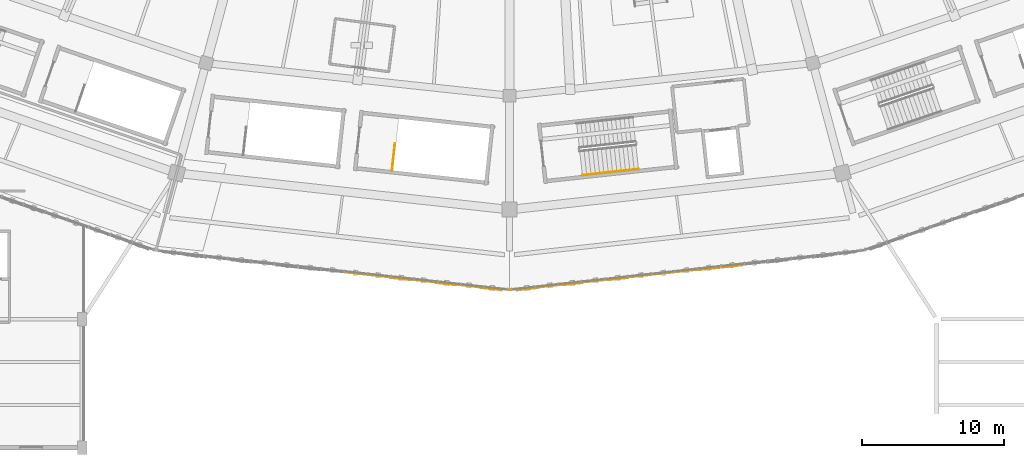
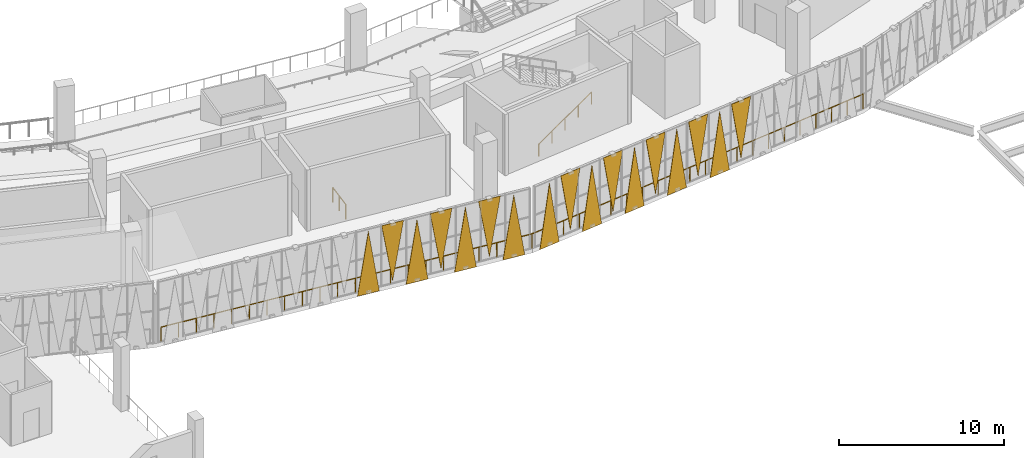
# One storey, part 117 of 152: 17 coverings, 4 railings.
"""IFC4 building model written with IfcOpenShell, lengths in metres."""

from ifc_helpers import new_model, si_unit, direction, frame, origin, origin_2d, place, context, subcontext, project, spatial, polyline, circle, outline, extrude, material, layer, layer_set, type_object, element, save


model = new_model("IFC4")

# Units and contexts
model_context = context("Model", 3, precision=1e-05, world=origin(), true_north=direction((0.0, 1.0)))
body_context = subcontext(model_context, "Body", "Model", "MODEL_VIEW")
ifc_project = project(units=[si_unit("LENGTHUNIT", "METRE"), si_unit("AREAUNIT", "SQUARE_METRE"), si_unit("VOLUMEUNIT", "CUBIC_METRE"), si_unit("PLANEANGLEUNIT", "RADIAN"), si_unit("MASSUNIT", "GRAM", prefix="KILO")], contexts=[model_context])

# Site, building, storey
site_placement = place(None, origin())
site = spatial("IfcSite", under=ifc_project, at=site_placement, CompositionType="ELEMENT")
building_placement = place(site_placement, origin())
building = spatial("IfcBuilding", under=site, at=building_placement, Name="Zevraka Park Crest Stadium", CompositionType="ELEMENT")
storey_placement = place(building_placement, frame((0.0, 0.0, 15.0)))
storey = spatial("IfcBuildingStorey", under=building, at=storey_placement, Name="L03", CompositionType="ELEMENT", Elevation=15.0)

# Coverings
ifc_material_1 = material(Name="Architectural golden-bronze perforated aluminium", Category="aluminium")
ifc_layer = layer(ifc_material_1, 0.034912109375)
ifc_layer_set = layer_set([ifc_layer], Name="Architectural golden-bronze perforated aluminium")
covering_type = type_object("IfcCoveringType", Name="CLD01", PredefinedType="CLADDING", material=ifc_layer_set)
covering_1_placement = place(storey_placement, frame((100.4541015625, 12.281982421875, -0.260009765625), z_axis=(-0.109857340022, -0.993947362105, 7.8784667e-05), x_axis=(0.99394736519, -0.109857340363, 0.0)))
element("IfcCovering", 1, at=covering_1_placement, inside=storey, type_object=covering_type, Name="Triangular Golden-Bronze Perforated Cladding L03-17-9", PredefinedType="CLADDING", context=body_context, shape_type="SweptSolid", body=[
    extrude(outline(polyline([(0.0, 0.0), (1.4467448997915233, -1.6940658945086007e-21), (0.723332218936156, 4.62011720183859), (0.0, 0.0)])), origin(), (0.0, 0.0, -1.0), 0.034912109375),
])
covering_2_placement = place(storey_placement, frame((103.489013671875, 11.945068359375, 4.52001953125), z_axis=(-0.11052412629, -0.993873440993, 2.8214201e-05), x_axis=(-0.993873441389, 0.110524126334, 0.0)))
element("IfcCovering", 2, at=covering_2_placement, inside=storey, type_object=covering_type, Name="Triangular Golden-Bronze Perforated Cladding L03-17-10", PredefinedType="CLADDING", context=body_context, shape_type="SweptSolid", body=[
    extrude(outline(polyline([(0.0, 0.0), (1.446852507941667, 0.0), (0.723412762256193, 4.300048829836508), (0.0, 0.0)])), origin(), (0.0, 0.0, -1.0), 0.034912109375),
])
covering_3_placement = place(storey_placement, frame((103.64794921875, 11.927978515625, -0.260009765625), z_axis=(0.110524126296, 0.993873441046, 2.6259603e-05), x_axis=(0.993873441389, -0.110524126334, 0.0)))
element("IfcCovering", 3, at=covering_3_placement, inside=storey, type_object=covering_type, Name="Triangular Golden-Bronze Perforated Cladding L03-17-11", PredefinedType="CLADDING", context=body_context, shape_type="SweptSolid", body=[
    extrude(outline(polyline([(0.0, 0.0), (1.446852507941667, 0.0), (0.7234397456854739, -4.62011718909294), (0.0, 0.0)])), origin(), (0.0, 0.0, -1.0), 0.034912109375),
])
covering_4_placement = place(storey_placement, frame((106.68310546875, 11.591064453125, 4.52001953125), z_axis=(-0.10985733927, -0.993947355298, 0.000141081496), x_axis=(-0.99394736519, 0.109857340363, 0.0)))
element("IfcCovering", 4, at=covering_4_placement, inside=storey, type_object=covering_type, Name="Triangular Golden-Bronze Perforated Cladding L03-17-12", PredefinedType="CLADDING", context=body_context, shape_type="SweptSolid", body=[
    extrude(outline(polyline([(0.0, 0.0), (1.4467448997915233, 0.0), (0.7233053982964189, 4.300048870919063), (0.0, 0.0)])), origin(), (0.0, 0.0, -1.0), 0.034912109375),
])
covering_5_placement = place(storey_placement, frame((106.842041015625, 11.572998046875, -0.260009765625), z_axis=(0.110524126296, 0.993873441046, 2.6259603e-05), x_axis=(0.993873441389, -0.110524126334, 0.0)))
element("IfcCovering", 5, at=covering_5_placement, inside=storey, type_object=covering_type, Name="Triangular Golden-Bronze Perforated Cladding L03-17-13", PredefinedType="CLADDING", context=body_context, shape_type="SweptSolid", body=[
    extrude(outline(polyline([(0.0, 0.0), (1.446852507941667, 0.0), (0.7234397456854739, -4.62011718909294), (0.0, 0.0)])), origin(), (0.0, 0.0, -1.0), 0.034912109375),
])
covering_6_placement = place(storey_placement, frame((109.8759765625, 11.236083984375, 4.52001953125), z_axis=(-0.110598317724, -0.993865187976, 1.5655252e-05), x_axis=(-0.993865188098, 0.110598317738, 0.0)))
element("IfcCovering", 6, at=covering_6_placement, inside=storey, type_object=covering_type, Name="Triangular Golden-Bronze Perforated Cladding L03-17-14", PredefinedType="CLADDING", context=body_context, shape_type="SweptSolid", body=[
    extrude(outline(polyline([(0.0, 0.0), (1.4458819324376355, 0.0), (0.7224421797112335, 4.300048828651943), (0.0, 0.0)])), origin(), (0.0, 0.0, -1.0), 0.034912109375),
])
covering_7_placement = place(storey_placement, frame((110.034912109375, 11.218017578125, -0.260009765625), z_axis=(0.109857339416, 0.993947356621, 0.000131307778), x_axis=(0.99394736519, -0.109857340363, 0.0)))
element("IfcCovering", 7, at=covering_7_placement, inside=storey, type_object=covering_type, Name="Triangular Golden-Bronze Perforated Cladding L03-17-15", PredefinedType="CLADDING", context=body_context, shape_type="SweptSolid", body=[
    extrude(outline(polyline([(0.0, 0.0), (1.4467448997915233, -3.3881317890172014e-21), (0.7234395014951044, -4.620117227329413), (0.0, 0.0)])), origin(), (0.0, 0.0, -1.0), 0.034912109375),
])
covering_8_placement = place(storey_placement, frame((112.527099609375, 11.05908203125, -0.260009765625), z_axis=(-0.109857339416, 0.993947356621, 0.000131307778), x_axis=(0.99394736519, 0.109857340363, 0.0)))
element("IfcCovering", 8, at=covering_8_placement, inside=storey, type_object=covering_type, Name="Triangular Golden-Bronze Perforated Cladding L03-18-1", PredefinedType="CLADDING", context=body_context, shape_type="SweptSolid", body=[
    extrude(outline(polyline([(0.0, 0.0), (1.4467448997915233, 3.3881317890172014e-21), (0.7233053982964189, -4.620117227329413), (0.0, 0.0)])), origin(), (0.0, 0.0, -1.0), 0.034912109375),
])
covering_9_placement = place(storey_placement, frame((115.56103515625, 11.39599609375, 4.52001953125), z_axis=(0.110598317724, -0.993865187976, 1.5655252e-05), x_axis=(-0.993865188098, -0.110598317738, 0.0)))
element("IfcCovering", 9, at=covering_9_placement, inside=storey, type_object=covering_type, Name="Triangular Golden-Bronze Perforated Cladding L03-18-2", PredefinedType="CLADDING", context=body_context, shape_type="SweptSolid", body=[
    extrude(outline(polyline([(0.0, 0.0), (1.4458819324376355, 0.0), (0.723439752726402, 4.300048828651943), (0.0, 0.0)])), origin(), (0.0, 0.0, -1.0), 0.034912109375),
])
covering_10_placement = place(storey_placement, frame((115.719970703125, 11.4130859375, -0.260009765625), z_axis=(-0.110524126296, 0.993873441046, 2.6259603e-05), x_axis=(0.993873441389, 0.110524126334, 0.0)))
element("IfcCovering", 10, at=covering_10_placement, inside=storey, type_object=covering_type, Name="Triangular Golden-Bronze Perforated Cladding L03-18-3", PredefinedType="CLADDING", context=body_context, shape_type="SweptSolid", body=[
    extrude(outline(polyline([(0.0, 0.0), (1.446852507941667, 0.0), (0.723412762256193, -4.62011718909294), (0.0, 0.0)])), origin(), (0.0, 0.0, -1.0), 0.034912109375),
])
covering_11_placement = place(storey_placement, frame((118.7548828125, 11.75, 4.52001953125), z_axis=(0.10985733927, -0.993947355298, 0.000141081496), x_axis=(-0.99394736519, -0.109857340363, 0.0)))
element("IfcCovering", 11, at=covering_11_placement, inside=storey, type_object=covering_type, Name="Triangular Golden-Bronze Perforated Cladding L03-18-4", PredefinedType="CLADDING", context=body_context, shape_type="SweptSolid", body=[
    extrude(outline(polyline([(0.0, 0.0), (1.4467448997915233, 0.0), (0.7234395014951044, 4.300048870919063), (0.0, 0.0)])), origin(), (0.0, 0.0, -1.0), 0.034912109375),
])
covering_12_placement = place(storey_placement, frame((118.9140625, 11.76806640625, -0.260009765625), z_axis=(-0.110524126296, 0.993873441046, 2.6259603e-05), x_axis=(0.993873441389, 0.110524126334, 0.0)))
element("IfcCovering", 12, at=covering_12_placement, inside=storey, type_object=covering_type, Name="Triangular Golden-Bronze Perforated Cladding L03-18-5", PredefinedType="CLADDING", context=body_context, shape_type="SweptSolid", body=[
    extrude(outline(polyline([(0.0, 0.0), (1.446852507941667, 0.0), (0.723412762256193, -4.62011718909294), (0.0, 0.0)])), origin(), (0.0, 0.0, -1.0), 0.034912109375),
])
covering_13_placement = place(storey_placement, frame((121.948974609375, 12.10498046875, 4.52001953125), z_axis=(0.11052412629, -0.993873440993, 2.8214201e-05), x_axis=(-0.993873441389, -0.110524126334, 0.0)))
element("IfcCovering", 13, at=covering_13_placement, inside=storey, type_object=covering_type, Name="Triangular Golden-Bronze Perforated Cladding L03-18-6", PredefinedType="CLADDING", context=body_context, shape_type="SweptSolid", body=[
    extrude(outline(polyline([(0.0, 0.0), (1.446852507941667, 0.0), (0.7234397456854739, 4.300048829836508), (0.0, 0.0)])), origin(), (0.0, 0.0, -1.0), 0.034912109375),
])
covering_14_placement = place(storey_placement, frame((122.10791015625, 12.123046875, -0.260009765625), z_axis=(0.109857340022, -0.993947362105, 7.8784667e-05), x_axis=(0.99394736519, 0.109857340363, 0.0)))
element("IfcCovering", 14, at=covering_14_placement, inside=storey, type_object=covering_type, Name="Triangular Golden-Bronze Perforated Cladding L03-18-7", PredefinedType="CLADDING", context=body_context, shape_type="SweptSolid", body=[
    extrude(outline(polyline([(0.0, 0.0), (1.4467448997915233, 1.6940658945086007e-21), (0.7234126808553673, 4.62011720183859), (0.0, 0.0)])), origin(), (0.0, 0.0, -1.0), 0.034912109375),
])
covering_15_placement = place(storey_placement, frame((125.14208984375, 12.4599609375, 4.52001953125), z_axis=(0.110598317646, -0.993865187272, 4.0772681e-05), x_axis=(-0.993865188098, -0.110598317738, 0.0)))
element("IfcCovering", 15, at=covering_15_placement, inside=storey, type_object=covering_type, Name="Triangular Golden-Bronze Perforated Cladding L03-18-8", PredefinedType="CLADDING", context=body_context, shape_type="SweptSolid", body=[
    extrude(outline(polyline([(0.0, 0.0), (1.4458819324376355, -8.470329472543003e-22), (0.7224691812536499, 4.300048831699226), (0.0, 0.0)])), origin(), (0.0, 0.0, -1.0), 0.034912109375),
])
covering_16_placement = place(storey_placement, frame((125.301025390625, 12.47802734375, -0.260009765625), z_axis=(-0.109857339416, 0.993947356621, 0.000131307778), x_axis=(0.99394736519, 0.109857340363, 0.0)))
element("IfcCovering", 16, at=covering_16_placement, inside=storey, type_object=covering_type, Name="Triangular Golden-Bronze Perforated Cladding L03-18-9", PredefinedType="CLADDING", context=body_context, shape_type="SweptSolid", body=[
    extrude(outline(polyline([(0.0, 0.0), (1.4467448997915233, 3.3881317890172014e-21), (0.7233053982964189, -4.620117227329413), (0.0, 0.0)])), origin(), (0.0, 0.0, -1.0), 0.034912109375),
])
covering_17_placement = place(storey_placement, frame((128.3359375, 12.81494140625, 4.52001953125), z_axis=(-0.11052412629, 0.993873440993, 2.8214201e-05), x_axis=(-0.993873441389, -0.110524126334, 0.0)))
element("IfcCovering", 17, at=covering_17_placement, inside=storey, type_object=covering_type, Name="Triangular Golden-Bronze Perforated Cladding L03-18-10", PredefinedType="CLADDING", context=body_context, shape_type="SweptSolid", body=[
    extrude(outline(polyline([(0.0, 0.0), (1.446852507941667, 0.0), (0.723412762256193, -4.300048829836508), (0.0, 0.0)])), origin(), (0.0, 0.0, -1.0), 0.034912109375),
])

# Railings
ifc_material_2 = material(Name="Galvanised and bronze-finished steel balustrade", Category="steel")
railing_type_1 = type_object("IfcRailingType", Name="GR01", PredefinedType="GUARDRAIL", material=ifc_material_2)
railing_1_placement = place(storey_placement, frame((136.8310546875, 13.8291015625, 0.0)))
element("IfcRailing", 18, at=railing_1_placement, inside=storey, type_object=railing_type_1, Name="Deck Edge Protection Guardrail GR01 L03-31", PredefinedType="GUARDRAIL", context=body_context, shape_type="SweptSolid", body=[
    extrude(circle(Radius=0.02392578125, at=origin_2d()), frame((0.0, 0.0, 1.076171875), z_axis=(-0.993883615503, -0.110432598604, 0.0), x_axis=(0.110432598604, -0.993883615503, 0.0)), (0.0, 0.0, 1.0), 24.98388671875),
    extrude(circle(Radius=0.02099609375, at=origin_2d()), origin(), (0.0, 0.0, 1.0), 1.052001953125),
    extrude(circle(Radius=0.02099609375, at=origin_2d()), frame((-1.182373046875, -0.13134765625, 0.0)), (0.0, 0.0, 1.0), 1.052001953125),
    extrude(circle(Radius=0.02099609375, at=origin_2d()), frame((-2.36474609375, -0.2626953125, 0.0)), (0.0, 0.0, 1.0), 1.052001953125),
    extrude(circle(Radius=0.02099609375, at=origin_2d()), frame((-3.54736328125, -0.39404296875, 0.0)), (0.0, 0.0, 1.0), 1.052001953125),
    extrude(circle(Radius=0.02099609375, at=origin_2d()), frame((-4.729736328125, -0.525634765625, 0.0)), (0.0, 0.0, 1.0), 1.052001953125),
    extrude(circle(Radius=0.02099609375, at=origin_2d()), frame((-5.912109375, -0.656982421875, 0.0)), (0.0, 0.0, 1.0), 1.052001953125),
    extrude(circle(Radius=0.02099609375, at=origin_2d()), frame((-7.094482421875, -0.788330078125, 0.0)), (0.0, 0.0, 1.0), 1.052001953125),
    extrude(circle(Radius=0.02099609375, at=origin_2d()), frame((-8.277099609375, -0.919677734375, 0.0)), (0.0, 0.0, 1.0), 1.052001953125),
    extrude(circle(Radius=0.02099609375, at=origin_2d()), frame((-9.45947265625, -1.051025390625, 0.0)), (0.0, 0.0, 1.0), 1.052001953125),
    extrude(circle(Radius=0.02099609375, at=origin_2d()), frame((-10.641845703125, -1.182373046875, 0.0)), (0.0, 0.0, 1.0), 1.052001953125),
    extrude(circle(Radius=0.02099609375, at=origin_2d()), frame((-11.82421875, -1.313720703125, 0.0)), (0.0, 0.0, 1.0), 1.052001953125),
    extrude(circle(Radius=0.02099609375, at=origin_2d()), frame((-13.0068359375, -1.4453125, 0.0)), (0.0, 0.0, 1.0), 1.052001953125),
    extrude(circle(Radius=0.02099609375, at=origin_2d()), frame((-14.189208984375, -1.57666015625, 0.0)), (0.0, 0.0, 1.0), 1.052001953125),
    extrude(circle(Radius=0.02099609375, at=origin_2d()), frame((-15.37158203125, -1.7080078125, 0.0)), (0.0, 0.0, 1.0), 1.052001953125),
    extrude(circle(Radius=0.02099609375, at=origin_2d()), frame((-16.553955078125, -1.83935546875, 0.0)), (0.0, 0.0, 1.0), 1.052001953125),
    extrude(circle(Radius=0.02099609375, at=origin_2d()), frame((-17.736572265625, -1.970703125, 0.0)), (0.0, 0.0, 1.0), 1.052001953125),
    extrude(circle(Radius=0.02099609375, at=origin_2d()), frame((-18.9189453125, -2.10205078125, 0.0)), (0.0, 0.0, 1.0), 1.052001953125),
    extrude(circle(Radius=0.02099609375, at=origin_2d()), frame((-20.101318359375, -2.2333984375, 0.0)), (0.0, 0.0, 1.0), 1.052001953125),
    extrude(circle(Radius=0.02099609375, at=origin_2d()), frame((-21.28369140625, -2.364990234375, 0.0)), (0.0, 0.0, 1.0), 1.052001953125),
    extrude(circle(Radius=0.02099609375, at=origin_2d()), frame((-22.46630859375, -2.496337890625, 0.0)), (0.0, 0.0, 1.0), 1.052001953125),
    extrude(circle(Radius=0.02099609375, at=origin_2d()), frame((-23.648681640625, -2.627685546875, 0.0)), (0.0, 0.0, 1.0), 1.052001953125),
    extrude(circle(Radius=0.02099609375, at=origin_2d()), frame((-24.8310546875, -2.759033203125, 0.0)), (0.0, 0.0, 1.0), 1.052001953125),
])
railing_2_placement = place(storey_placement, frame((112.0, 11.070068359375, 0.0)))
element("IfcRailing", 19, at=railing_2_placement, inside=storey, type_object=railing_type_1, Name="Deck Edge Protection Guardrail GR01 L03-32", PredefinedType="GUARDRAIL", context=body_context, shape_type="SweptSolid", body=[
    extrude(circle(Radius=0.02392578125, at=origin_2d()), frame((0.0, 0.0, 1.076171875), z_axis=(-0.993886756646, 0.110404324929, 0.0), x_axis=(-0.110404324929, -0.993886756646, 0.0)), (0.0, 0.0, 1.0), 24.627685546875),
    extrude(circle(Radius=0.02099609375, at=origin_2d()), origin(), (0.0, 0.0, 1.0), 1.052001953125),
    extrude(circle(Radius=0.02099609375, at=origin_2d()), frame((-1.16552734375, 0.12939453125, 0.0)), (0.0, 0.0, 1.0), 1.052001953125),
    extrude(circle(Radius=0.02099609375, at=origin_2d()), frame((-2.3310546875, 0.259033203125, 0.0)), (0.0, 0.0, 1.0), 1.052001953125),
    extrude(circle(Radius=0.02099609375, at=origin_2d()), frame((-3.496826171875, 0.388427734375, 0.0)), (0.0, 0.0, 1.0), 1.052001953125),
    extrude(circle(Radius=0.02099609375, at=origin_2d()), frame((-4.662353515625, 0.517822265625, 0.0)), (0.0, 0.0, 1.0), 1.052001953125),
    extrude(circle(Radius=0.02099609375, at=origin_2d()), frame((-5.827880859375, 0.6474609375, 0.0)), (0.0, 0.0, 1.0), 1.052001953125),
    extrude(circle(Radius=0.02099609375, at=origin_2d()), frame((-6.993408203125, 0.77685546875, 0.0)), (0.0, 0.0, 1.0), 1.052001953125),
    extrude(circle(Radius=0.02099609375, at=origin_2d()), frame((-8.158935546875, 0.90625, 0.0)), (0.0, 0.0, 1.0), 1.052001953125),
    extrude(circle(Radius=0.02099609375, at=origin_2d()), frame((-9.32470703125, 1.035888671875, 0.0)), (0.0, 0.0, 1.0), 1.052001953125),
    extrude(circle(Radius=0.02099609375, at=origin_2d()), frame((-10.490234375, 1.165283203125, 0.0)), (0.0, 0.0, 1.0), 1.052001953125),
    extrude(circle(Radius=0.02099609375, at=origin_2d()), frame((-11.65576171875, 1.294677734375, 0.0)), (0.0, 0.0, 1.0), 1.052001953125),
    extrude(circle(Radius=0.02099609375, at=origin_2d()), frame((-12.8212890625, 1.42431640625, 0.0)), (0.0, 0.0, 1.0), 1.052001953125),
    extrude(circle(Radius=0.02099609375, at=origin_2d()), frame((-13.98681640625, 1.5537109375, 0.0)), (0.0, 0.0, 1.0), 1.052001953125),
    extrude(circle(Radius=0.02099609375, at=origin_2d()), frame((-15.15234375, 1.68310546875, 0.0)), (0.0, 0.0, 1.0), 1.052001953125),
    extrude(circle(Radius=0.02099609375, at=origin_2d()), frame((-16.318115234375, 1.812744140625, 0.0)), (0.0, 0.0, 1.0), 1.052001953125),
    extrude(circle(Radius=0.02099609375, at=origin_2d()), frame((-17.483642578125, 1.942138671875, 0.0)), (0.0, 0.0, 1.0), 1.052001953125),
    extrude(circle(Radius=0.02099609375, at=origin_2d()), frame((-18.649169921875, 2.071533203125, 0.0)), (0.0, 0.0, 1.0), 1.052001953125),
    extrude(circle(Radius=0.02099609375, at=origin_2d()), frame((-19.814697265625, 2.201171875, 0.0)), (0.0, 0.0, 1.0), 1.052001953125),
    extrude(circle(Radius=0.02099609375, at=origin_2d()), frame((-20.980224609375, 2.33056640625, 0.0)), (0.0, 0.0, 1.0), 1.052001953125),
    extrude(circle(Radius=0.02099609375, at=origin_2d()), frame((-22.14599609375, 2.4599609375, 0.0)), (0.0, 0.0, 1.0), 1.052001953125),
    extrude(circle(Radius=0.02099609375, at=origin_2d()), frame((-23.3115234375, 2.589599609375, 0.0)), (0.0, 0.0, 1.0), 1.052001953125),
    extrude(circle(Radius=0.02099609375, at=origin_2d()), frame((-24.47705078125, 2.718994140625, 0.0)), (0.0, 0.0, 1.0), 1.052001953125),
])
ifc_material_3 = material(Name="Powder-coated tubular steel stairwell guard", Category="steel")
railing_type_2 = type_object("IfcRailingType", Name="GR03", PredefinedType="GUARDRAIL", material=ifc_material_3)
railing_3_placement = place(storey_placement, frame((103.74560546875, 19.407958984375, 0.0)))
element("IfcRailing", 20, at=railing_3_placement, inside=storey, type_object=railing_type_2, Name="L03 ST30 top well guard 1", PredefinedType="GUARDRAIL", context=body_context, shape_type="SweptSolid", body=[
    extrude(circle(Radius=0.02392578125, at=origin_2d()), frame((0.0, 0.0, 1.076171875), z_axis=(0.108243839259, 0.994124374142, 0.0), x_axis=(-0.994124374142, 0.108243839259, 0.0)), (0.0, 0.0, 1.0), 1.9599609375),
    extrude(circle(Radius=0.02099609375, at=origin_2d()), origin(), (0.0, 0.0, 1.0), 1.052001953125),
    extrude(circle(Radius=0.02099609375, at=origin_2d()), frame((0.10595703125, 0.97412109375, 0.0)), (0.0, 0.0, 1.0), 1.052001953125),
    extrude(circle(Radius=0.02099609375, at=origin_2d()), frame((0.212158203125, 1.948486328125, 0.0)), (0.0, 0.0, 1.0), 1.052001953125),
])
ifc_material_4 = material(Name="Brushed stainless steel continuous handrail", Category="steel")
railing_type_3 = type_object("IfcRailingType", Name="HR01", PredefinedType="HANDRAIL", material=ifc_material_4)
railing_4_placement = place(storey_placement, frame((117.116943359375, 19.1162109375, 0.17138671875)))
element("IfcRailing", 21, at=railing_4_placement, inside=storey, type_object=railing_type_3, Name="L03 ST19 stair handrail 1", PredefinedType="HANDRAIL", context=body_context, shape_type="SweptSolid", body=[
    extrude(circle(Radius=0.02392578125, at=origin_2d()), frame((0.0, 0.0, 0.8759765625), z_axis=(0.866619140956, 0.094364598935, 0.489965903911), x_axis=(-0.108248360745, 0.994123881816, 0.0)), (0.0, 0.0, 1.0), 4.54833984375),
    extrude(circle(Radius=0.02099609375, at=origin_2d()), origin(), (0.0, 0.0, 1.0), 0.851806640625),
    extrude(circle(Radius=0.02099609375, at=origin_2d()), frame((0.9853515625, 0.107421875, 0.55712890625)), (0.0, 0.0, 1.0), 0.851806640625),
    extrude(circle(Radius=0.02099609375, at=origin_2d()), frame((1.970703125, 0.214599609375, 1.1142578125)), (0.0, 0.0, 1.0), 0.851806640625),
    extrude(circle(Radius=0.02099609375, at=origin_2d()), frame((2.956298828125, 0.32177734375, 1.67138671875)), (0.0, 0.0, 1.0), 0.851806640625),
    extrude(circle(Radius=0.02099609375, at=origin_2d()), frame((3.941650390625, 0.42919921875, 2.228515625)), (0.0, 0.0, 1.0), 0.851806640625),
])

save(model, "model.ifc")
